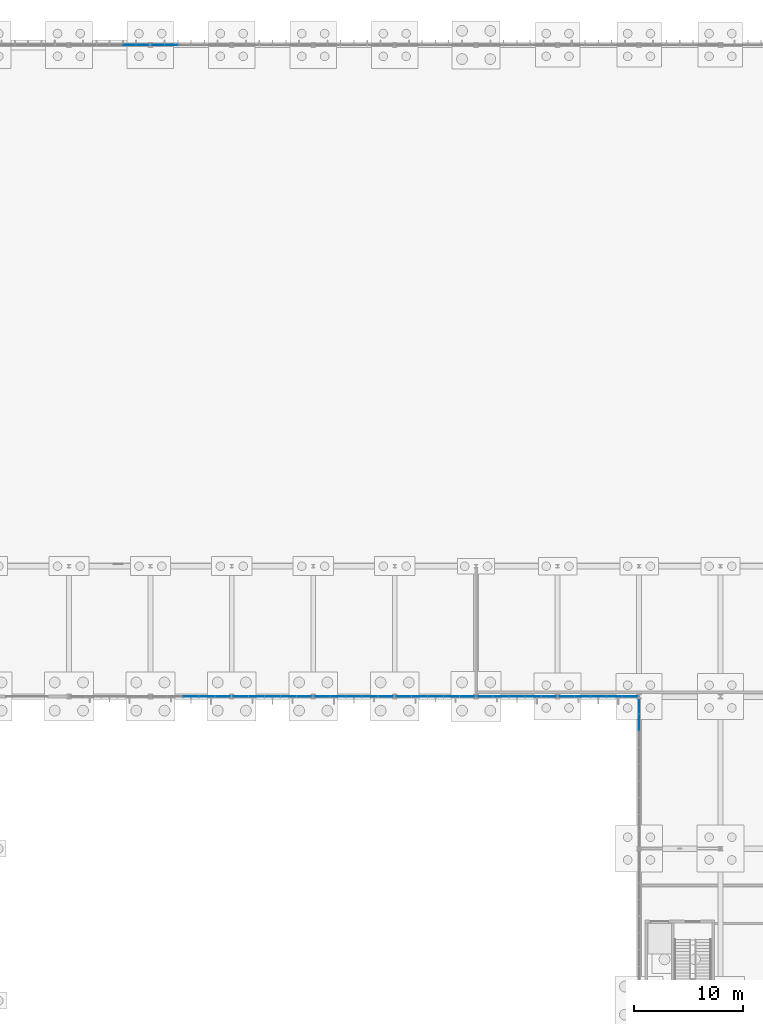
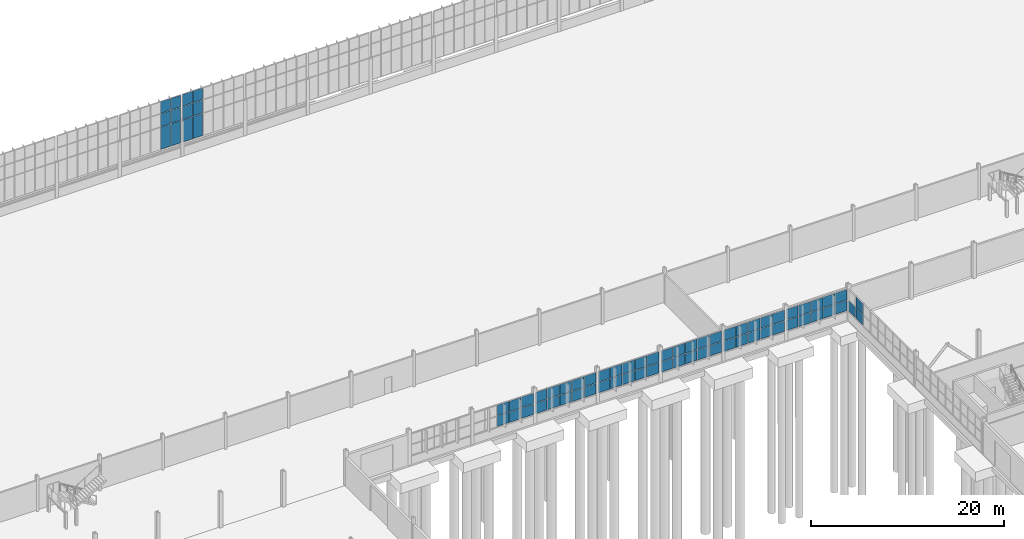
# One storey, part 90 of 136: 71 plates, 9 elements without a shape of their own.
"""IFC4 building model written with IfcOpenShell, lengths in metres."""

from ifc_helpers import new_model, si_unit, direction, frame, origin, origin_2d, place, context, subcontext, project, spatial, rectangle, extrude, material, layer, layer_set, type_object, element, aggregate, save


model = new_model("IFC4")

# Units and contexts
model_context = context("Model", 3, precision=1e-05, world=origin(), true_north=direction((0.0, 1.0)))
body_context = subcontext(model_context, "Body", "Model", "MODEL_VIEW")
ifc_project = project(units=[si_unit("LENGTHUNIT", "METRE"), si_unit("AREAUNIT", "SQUARE_METRE"), si_unit("VOLUMEUNIT", "CUBIC_METRE"), si_unit("PLANEANGLEUNIT", "RADIAN"), si_unit("MASSUNIT", "GRAM", prefix="KILO")], contexts=[model_context])

# Site, building, storey
site_placement = place(None, origin())
site = spatial("IfcSite", under=ifc_project, at=site_placement, CompositionType="ELEMENT")
building_placement = place(site_placement, origin())
building = spatial("IfcBuilding", under=site, at=building_placement, Name="Solvenia Promenade Tram Depot", CompositionType="ELEMENT")
storey_placement = place(building_placement, origin())
storey = spatial("IfcBuildingStorey", under=building, at=storey_placement, Name="L00", CompositionType="ELEMENT", Elevation=0.0)

# Curtain wall, plates
ifc_material_1 = material(Name="Anodized aluminium AW-6063 T6", Category="aluminium")
ifc_layer_1 = layer(ifc_material_1, 0.159912109375, Name="Anodized aluminium AW-6063 T6", Category="aluminium")
ifc_layer_set_1 = layer_set([ifc_layer_1], Name="Anodized aluminium AW-6063 T6")
curtain_wall_type_1 = type_object("IfcCurtainWallType", Name="CW-Channel-1200", PredefinedType="NOTDEFINED", material=ifc_layer_set_1)
curtain_wall_1_placement = place(storey_placement, origin())
curtain_wall_1 = element("IfcCurtainWall", 1, at=curtain_wall_1_placement, inside=storey, type_object=curtain_wall_type_1, Name="North Translucent Channel-Glass Wall 08", PredefinedType="NOTDEFINED")
ifc_material_2 = material(Name="Low-iron translucent U-profile channel glass", Category="glass")
ifc_layer_2 = layer(ifc_material_2, 0.028076171875, Name="Low-iron translucent U-profile channel glass", Category="glass")
ifc_layer_set_2 = layer_set([ifc_layer_2], Name="Low-iron translucent U-profile channel glass")
plate_type_1 = type_object("IfcPlateType", Name="CWP-Panel-1", PredefinedType="CURTAIN_PANEL", material=ifc_layer_set_2)
plate_1_placement = place(storey_placement, frame((58.0849609375, 126.0, 1.659912109375), z_axis=(0.0, 0.0, 1.0), x_axis=(1.0, 0.0, 0.0)))
plate_1 = element("IfcPlate", 2, at=plate_1_placement, type_object=plate_type_1, Name="CW-1 panel 5.1", PredefinedType="CURTAIN_PANEL", context=body_context, shape_type="SweptSolid", body=[
    extrude(rectangle(XDim=1.17138671875, YDim=0.028076171875, at=origin_2d()), origin(), (0.0, 0.0, 1.0), 2.81005859375),
])
plate_2_placement = place(storey_placement, frame((58.0849609375, 126.0, 4.5302734375), z_axis=(0.0, 0.0, 1.0), x_axis=(1.0, 0.0, 0.0)))
plate_2 = element("IfcPlate", 3, at=plate_2_placement, type_object=plate_type_1, Name="CW-1 panel 5.2", PredefinedType="CURTAIN_PANEL", context=body_context, shape_type="SweptSolid", body=[
    extrude(rectangle(XDim=1.17138671875, YDim=0.028076171875, at=origin_2d()), origin(), (0.0, 0.0, 1.0), 1.639892578125),
])
plate_3_placement = place(storey_placement, frame((58.0849609375, 126.0, 6.22998046875), z_axis=(0.0, 0.0, 1.0), x_axis=(1.0, 0.0, 0.0)))
plate_3 = element("IfcPlate", 4, at=plate_3_placement, type_object=plate_type_1, Name="CW-1 panel 5.3", PredefinedType="CURTAIN_PANEL", context=body_context, shape_type="SweptSolid", body=[
    extrude(rectangle(XDim=1.17138671875, YDim=0.028076171875, at=origin_2d()), origin(), (0.0, 0.0, 1.0), 1.4599609375),
])
plate_4_placement = place(storey_placement, frame((59.29541015625, 126.0, 1.659912109375), z_axis=(0.0, 0.0, 1.0), x_axis=(1.0, 0.0, 0.0)))
plate_4 = element("IfcPlate", 5, at=plate_4_placement, type_object=plate_type_1, Name="CW-1 panel 6.1", PredefinedType="CURTAIN_PANEL", context=body_context, shape_type="SweptSolid", body=[
    extrude(rectangle(XDim=1.145263671875, YDim=0.028076171875, at=origin_2d()), origin(), (0.0, 0.0, 1.0), 2.81005859375),
])
plate_5_placement = place(storey_placement, frame((59.29541015625, 126.0, 4.5302734375), z_axis=(0.0, 0.0, 1.0), x_axis=(1.0, 0.0, 0.0)))
plate_5 = element("IfcPlate", 6, at=plate_5_placement, type_object=plate_type_1, Name="CW-1 panel 6.2", PredefinedType="CURTAIN_PANEL", context=body_context, shape_type="SweptSolid", body=[
    extrude(rectangle(XDim=1.145263671875, YDim=0.028076171875, at=origin_2d()), origin(), (0.0, 0.0, 1.0), 1.639892578125),
])
plate_6_placement = place(storey_placement, frame((59.29541015625, 126.0, 6.22998046875), z_axis=(0.0, 0.0, 1.0), x_axis=(1.0, 0.0, 0.0)))
plate_6 = element("IfcPlate", 7, at=plate_6_placement, type_object=plate_type_1, Name="CW-1 panel 6.3", PredefinedType="CURTAIN_PANEL", context=body_context, shape_type="SweptSolid", body=[
    extrude(rectangle(XDim=1.145263671875, YDim=0.028076171875, at=origin_2d()), origin(), (0.0, 0.0, 1.0), 1.4599609375),
])
aggregate(curtain_wall_1, [plate_1, plate_2, plate_3, plate_4, plate_5, plate_6])

curtain_wall_2_placement = place(storey_placement, origin())
curtain_wall_2 = element("IfcCurtainWall", 8, at=curtain_wall_2_placement, inside=storey, type_object=curtain_wall_type_1, Name="North Translucent Channel-Glass Wall 09", PredefinedType="NOTDEFINED")
plate_7_placement = place(storey_placement, frame((60.70458984375, 126.0, 1.659912109375), z_axis=(0.0, 0.0, 1.0), x_axis=(1.0, 0.0, 0.0)))
plate_7 = element("IfcPlate", 9, at=plate_7_placement, type_object=plate_type_1, Name="CW-1 panel 1.1", PredefinedType="CURTAIN_PANEL", context=body_context, shape_type="SweptSolid", body=[
    extrude(rectangle(XDim=1.145263671875, YDim=0.028076171875, at=origin_2d()), origin(), (0.0, 0.0, 1.0), 2.81005859375),
])
plate_8_placement = place(storey_placement, frame((60.70458984375, 126.0, 4.5302734375), z_axis=(0.0, 0.0, 1.0), x_axis=(1.0, 0.0, 0.0)))
plate_8 = element("IfcPlate", 10, at=plate_8_placement, type_object=plate_type_1, Name="CW-1 panel 1.2", PredefinedType="CURTAIN_PANEL", context=body_context, shape_type="SweptSolid", body=[
    extrude(rectangle(XDim=1.145263671875, YDim=0.028076171875, at=origin_2d()), origin(), (0.0, 0.0, 1.0), 1.639892578125),
])
plate_9_placement = place(storey_placement, frame((60.70458984375, 126.0, 6.22998046875), z_axis=(0.0, 0.0, 1.0), x_axis=(1.0, 0.0, 0.0)))
plate_9 = element("IfcPlate", 11, at=plate_9_placement, type_object=plate_type_1, Name="CW-1 panel 1.3", PredefinedType="CURTAIN_PANEL", context=body_context, shape_type="SweptSolid", body=[
    extrude(rectangle(XDim=1.145263671875, YDim=0.028076171875, at=origin_2d()), origin(), (0.0, 0.0, 1.0), 1.4599609375),
])
plate_10_placement = place(storey_placement, frame((61.9150390625, 126.0, 1.659912109375), z_axis=(0.0, 0.0, 1.0), x_axis=(1.0, 0.0, 0.0)))
plate_10 = element("IfcPlate", 12, at=plate_10_placement, type_object=plate_type_1, Name="CW-1 panel 2.1", PredefinedType="CURTAIN_PANEL", context=body_context, shape_type="SweptSolid", body=[
    extrude(rectangle(XDim=1.17138671875, YDim=0.028076171875, at=origin_2d()), origin(), (0.0, 0.0, 1.0), 2.81005859375),
])
plate_11_placement = place(storey_placement, frame((61.9150390625, 126.0, 4.5302734375), z_axis=(0.0, 0.0, 1.0), x_axis=(1.0, 0.0, 0.0)))
plate_11 = element("IfcPlate", 13, at=plate_11_placement, type_object=plate_type_1, Name="CW-1 panel 2.2", PredefinedType="CURTAIN_PANEL", context=body_context, shape_type="SweptSolid", body=[
    extrude(rectangle(XDim=1.17138671875, YDim=0.028076171875, at=origin_2d()), origin(), (0.0, 0.0, 1.0), 1.639892578125),
])
plate_12_placement = place(storey_placement, frame((61.9150390625, 126.0, 6.22998046875), z_axis=(0.0, 0.0, 1.0), x_axis=(1.0, 0.0, 0.0)))
plate_12 = element("IfcPlate", 14, at=plate_12_placement, type_object=plate_type_1, Name="CW-1 panel 2.3", PredefinedType="CURTAIN_PANEL", context=body_context, shape_type="SweptSolid", body=[
    extrude(rectangle(XDim=1.17138671875, YDim=0.028076171875, at=origin_2d()), origin(), (0.0, 0.0, 1.0), 1.4599609375),
])
aggregate(curtain_wall_2, [plate_7, plate_8, plate_9, plate_10, plate_11, plate_12])

ifc_layer_3 = layer(ifc_material_1, 0.14990234375, Name="Anodized aluminium AW-6063 T6", Category="aluminium")
ifc_layer_set_3 = layer_set([ifc_layer_3], Name="Anodized aluminium AW-6063 T6")
curtain_wall_type_2 = type_object("IfcCurtainWallType", Name="CW-Court-1500", PredefinedType="NOTDEFINED", material=ifc_layer_set_3)
curtain_wall_3_placement = place(storey_placement, origin())
curtain_wall_3 = element("IfcCurtainWall", 15, at=curtain_wall_3_placement, inside=storey, type_object=curtain_wall_type_2, Name="Curtain Wall CW-V1S0-03", PredefinedType="NOTDEFINED")
ifc_material_3 = material(Name="Double low-e argon insulated glass", Category="glass")
ifc_layer_4 = layer(ifc_material_3, 0.031982421875, Name="Double low-e argon insulated glass", Category="glass")
ifc_layer_set_4 = layer_set([ifc_layer_4], Name="Double low-e argon insulated glass")
plate_type_2 = type_object("IfcPlateType", Name="CWP-Panel-2", PredefinedType="CURTAIN_PANEL", material=ifc_layer_set_4)
plate_13_placement = place(storey_placement, frame((63.75, 66.0, 1.115234375), z_axis=(0.0, 0.0, 1.0), x_axis=(1.0, 0.0, 0.0)))
plate_13 = element("IfcPlate", 16, at=plate_13_placement, type_object=plate_type_2, Name="CW-5 panel 3.1", PredefinedType="CURTAIN_PANEL", context=body_context, shape_type="SweptSolid", body=[
    extrude(rectangle(XDim=1.41796875, YDim=0.031982421875, at=origin_2d()), origin(), (0.0, 0.0, 1.0), 1.302490234375),
])
plate_14_placement = place(storey_placement, frame((63.75, 66.0, 2.482421875), z_axis=(0.0, 0.0, 1.0), x_axis=(1.0, 0.0, 0.0)))
plate_14 = element("IfcPlate", 17, at=plate_14_placement, type_object=plate_type_2, Name="CW-5 panel 3.2", PredefinedType="CURTAIN_PANEL", context=body_context, shape_type="SweptSolid", body=[
    extrude(rectangle(XDim=1.41796875, YDim=0.031982421875, at=origin_2d()), origin(), (0.0, 0.0, 1.0), 1.302490234375),
])
plate_15_placement = place(storey_placement, frame((65.218017578125, 66.0, 1.115234375), z_axis=(0.0, 0.0, 1.0), x_axis=(1.0, 0.0, 0.0)))
plate_15 = element("IfcPlate", 18, at=plate_15_placement, type_object=plate_type_2, Name="CW-5 panel 4.1", PredefinedType="CURTAIN_PANEL", context=body_context, shape_type="SweptSolid", body=[
    extrude(rectangle(XDim=1.41796875, YDim=0.031982421875, at=origin_2d()), origin(), (0.0, 0.0, 1.0), 1.302490234375),
])
plate_16_placement = place(storey_placement, frame((65.218017578125, 66.0, 2.482421875), z_axis=(0.0, 0.0, 1.0), x_axis=(1.0, 0.0, 0.0)))
plate_16 = element("IfcPlate", 19, at=plate_16_placement, type_object=plate_type_2, Name="CW-5 panel 4.2", PredefinedType="CURTAIN_PANEL", context=body_context, shape_type="SweptSolid", body=[
    extrude(rectangle(XDim=1.41796875, YDim=0.031982421875, at=origin_2d()), origin(), (0.0, 0.0, 1.0), 1.302490234375),
])
plate_17_placement = place(storey_placement, frame((66.673583984375, 66.0, 1.115234375), z_axis=(0.0, 0.0, 1.0), x_axis=(1.0, 0.0, 0.0)))
plate_17 = element("IfcPlate", 20, at=plate_17_placement, type_object=plate_type_2, Name="CW-5 panel 5.1", PredefinedType="CURTAIN_PANEL", context=body_context, shape_type="SweptSolid", body=[
    extrude(rectangle(XDim=1.39306640625, YDim=0.031982421875, at=origin_2d()), origin(), (0.0, 0.0, 1.0), 1.302490234375),
])
plate_18_placement = place(storey_placement, frame((66.673583984375, 66.0, 2.482421875), z_axis=(0.0, 0.0, 1.0), x_axis=(1.0, 0.0, 0.0)))
plate_18 = element("IfcPlate", 21, at=plate_18_placement, type_object=plate_type_2, Name="CW-5 panel 5.2", PredefinedType="CURTAIN_PANEL", context=body_context, shape_type="SweptSolid", body=[
    extrude(rectangle(XDim=1.39306640625, YDim=0.031982421875, at=origin_2d()), origin(), (0.0, 0.0, 1.0), 1.302490234375),
])
aggregate(curtain_wall_3, [plate_13, plate_14, plate_15, plate_16, plate_17, plate_18])

curtain_wall_4_placement = place(storey_placement, origin())
curtain_wall_4 = element("IfcCurtainWall", 22, at=curtain_wall_4_placement, inside=storey, type_object=curtain_wall_type_2, Name="Curtain Wall CW-V1S0-04", PredefinedType="NOTDEFINED")
plate_19_placement = place(storey_placement, frame((68.326416015625, 66.0, 1.115234375), z_axis=(0.0, 0.0, 1.0), x_axis=(1.0, 0.0, 0.0)))
plate_19 = element("IfcPlate", 23, at=plate_19_placement, type_object=plate_type_2, Name="CW-5 panel 1.1", PredefinedType="CURTAIN_PANEL", context=body_context, shape_type="SweptSolid", body=[
    extrude(rectangle(XDim=1.39306640625, YDim=0.031982421875, at=origin_2d()), origin(), (0.0, 0.0, 1.0), 1.302490234375),
])
plate_20_placement = place(storey_placement, frame((68.326416015625, 66.0, 2.482421875), z_axis=(0.0, 0.0, 1.0), x_axis=(1.0, 0.0, 0.0)))
plate_20 = element("IfcPlate", 24, at=plate_20_placement, type_object=plate_type_2, Name="CW-5 panel 1.2", PredefinedType="CURTAIN_PANEL", context=body_context, shape_type="SweptSolid", body=[
    extrude(rectangle(XDim=1.39306640625, YDim=0.031982421875, at=origin_2d()), origin(), (0.0, 0.0, 1.0), 1.302490234375),
])
plate_21_placement = place(storey_placement, frame((69.781982421875, 66.0, 1.115234375), z_axis=(0.0, 0.0, 1.0), x_axis=(1.0, 0.0, 0.0)))
plate_21 = element("IfcPlate", 25, at=plate_21_placement, type_object=plate_type_2, Name="CW-5 panel 2.1", PredefinedType="CURTAIN_PANEL", context=body_context, shape_type="SweptSolid", body=[
    extrude(rectangle(XDim=1.41796875, YDim=0.031982421875, at=origin_2d()), origin(), (0.0, 0.0, 1.0), 1.302490234375),
])
plate_22_placement = place(storey_placement, frame((69.781982421875, 66.0, 2.482421875), z_axis=(0.0, 0.0, 1.0), x_axis=(1.0, 0.0, 0.0)))
plate_22 = element("IfcPlate", 26, at=plate_22_placement, type_object=plate_type_2, Name="CW-5 panel 2.2", PredefinedType="CURTAIN_PANEL", context=body_context, shape_type="SweptSolid", body=[
    extrude(rectangle(XDim=1.41796875, YDim=0.031982421875, at=origin_2d()), origin(), (0.0, 0.0, 1.0), 1.302490234375),
])
plate_23_placement = place(storey_placement, frame((71.25, 66.0, 1.115234375), z_axis=(0.0, 0.0, 1.0), x_axis=(1.0, 0.0, 0.0)))
plate_23 = element("IfcPlate", 27, at=plate_23_placement, type_object=plate_type_2, Name="CW-5 panel 3.1", PredefinedType="CURTAIN_PANEL", context=body_context, shape_type="SweptSolid", body=[
    extrude(rectangle(XDim=1.41796875, YDim=0.031982421875, at=origin_2d()), origin(), (0.0, 0.0, 1.0), 1.302490234375),
])
plate_24_placement = place(storey_placement, frame((71.25, 66.0, 2.482421875), z_axis=(0.0, 0.0, 1.0), x_axis=(1.0, 0.0, 0.0)))
plate_24 = element("IfcPlate", 28, at=plate_24_placement, type_object=plate_type_2, Name="CW-5 panel 3.2", PredefinedType="CURTAIN_PANEL", context=body_context, shape_type="SweptSolid", body=[
    extrude(rectangle(XDim=1.41796875, YDim=0.031982421875, at=origin_2d()), origin(), (0.0, 0.0, 1.0), 1.302490234375),
])
plate_25_placement = place(storey_placement, frame((72.718017578125, 66.0, 1.115234375), z_axis=(0.0, 0.0, 1.0), x_axis=(1.0, 0.0, 0.0)))
plate_25 = element("IfcPlate", 29, at=plate_25_placement, type_object=plate_type_2, Name="CW-5 panel 4.1", PredefinedType="CURTAIN_PANEL", context=body_context, shape_type="SweptSolid", body=[
    extrude(rectangle(XDim=1.41796875, YDim=0.031982421875, at=origin_2d()), origin(), (0.0, 0.0, 1.0), 1.302490234375),
])
plate_26_placement = place(storey_placement, frame((72.718017578125, 66.0, 2.482421875), z_axis=(0.0, 0.0, 1.0), x_axis=(1.0, 0.0, 0.0)))
plate_26 = element("IfcPlate", 30, at=plate_26_placement, type_object=plate_type_2, Name="CW-5 panel 4.2", PredefinedType="CURTAIN_PANEL", context=body_context, shape_type="SweptSolid", body=[
    extrude(rectangle(XDim=1.41796875, YDim=0.031982421875, at=origin_2d()), origin(), (0.0, 0.0, 1.0), 1.302490234375),
])
plate_27_placement = place(storey_placement, frame((74.173583984375, 66.0, 1.115234375), z_axis=(0.0, 0.0, 1.0), x_axis=(1.0, 0.0, 0.0)))
plate_27 = element("IfcPlate", 31, at=plate_27_placement, type_object=plate_type_2, Name="CW-5 panel 5.1", PredefinedType="CURTAIN_PANEL", context=body_context, shape_type="SweptSolid", body=[
    extrude(rectangle(XDim=1.39306640625, YDim=0.031982421875, at=origin_2d()), origin(), (0.0, 0.0, 1.0), 1.302490234375),
])
plate_28_placement = place(storey_placement, frame((74.173583984375, 66.0, 2.482421875), z_axis=(0.0, 0.0, 1.0), x_axis=(1.0, 0.0, 0.0)))
plate_28 = element("IfcPlate", 32, at=plate_28_placement, type_object=plate_type_2, Name="CW-5 panel 5.2", PredefinedType="CURTAIN_PANEL", context=body_context, shape_type="SweptSolid", body=[
    extrude(rectangle(XDim=1.39306640625, YDim=0.031982421875, at=origin_2d()), origin(), (0.0, 0.0, 1.0), 1.302490234375),
])
aggregate(curtain_wall_4, [plate_19, plate_20, plate_21, plate_22, plate_23, plate_24, plate_25, plate_26, plate_27, plate_28])

curtain_wall_5_placement = place(storey_placement, origin())
curtain_wall_5 = element("IfcCurtainWall", 33, at=curtain_wall_5_placement, inside=storey, type_object=curtain_wall_type_2, Name="Curtain Wall CW-V1S0-05", PredefinedType="NOTDEFINED")
plate_29_placement = place(storey_placement, frame((75.826416015625, 66.0, 1.115234375), z_axis=(0.0, 0.0, 1.0), x_axis=(1.0, 0.0, 0.0)))
plate_29 = element("IfcPlate", 34, at=plate_29_placement, type_object=plate_type_2, Name="CW-5 panel 1.1", PredefinedType="CURTAIN_PANEL", context=body_context, shape_type="SweptSolid", body=[
    extrude(rectangle(XDim=1.39306640625, YDim=0.031982421875, at=origin_2d()), origin(), (0.0, 0.0, 1.0), 1.302490234375),
])
plate_30_placement = place(storey_placement, frame((75.826416015625, 66.0, 2.482421875), z_axis=(0.0, 0.0, 1.0), x_axis=(1.0, 0.0, 0.0)))
plate_30 = element("IfcPlate", 35, at=plate_30_placement, type_object=plate_type_2, Name="CW-5 panel 1.2", PredefinedType="CURTAIN_PANEL", context=body_context, shape_type="SweptSolid", body=[
    extrude(rectangle(XDim=1.39306640625, YDim=0.031982421875, at=origin_2d()), origin(), (0.0, 0.0, 1.0), 1.302490234375),
])
plate_31_placement = place(storey_placement, frame((77.281982421875, 66.0, 1.115234375), z_axis=(0.0, 0.0, 1.0), x_axis=(1.0, 0.0, 0.0)))
plate_31 = element("IfcPlate", 36, at=plate_31_placement, type_object=plate_type_2, Name="CW-5 panel 2.1", PredefinedType="CURTAIN_PANEL", context=body_context, shape_type="SweptSolid", body=[
    extrude(rectangle(XDim=1.41796875, YDim=0.031982421875, at=origin_2d()), origin(), (0.0, 0.0, 1.0), 1.302490234375),
])
plate_32_placement = place(storey_placement, frame((77.281982421875, 66.0, 2.482421875), z_axis=(0.0, 0.0, 1.0), x_axis=(1.0, 0.0, 0.0)))
plate_32 = element("IfcPlate", 37, at=plate_32_placement, type_object=plate_type_2, Name="CW-5 panel 2.2", PredefinedType="CURTAIN_PANEL", context=body_context, shape_type="SweptSolid", body=[
    extrude(rectangle(XDim=1.41796875, YDim=0.031982421875, at=origin_2d()), origin(), (0.0, 0.0, 1.0), 1.302490234375),
])
plate_33_placement = place(storey_placement, frame((78.75, 66.0, 1.115234375), z_axis=(0.0, 0.0, 1.0), x_axis=(1.0, 0.0, 0.0)))
plate_33 = element("IfcPlate", 38, at=plate_33_placement, type_object=plate_type_2, Name="CW-5 panel 3.1", PredefinedType="CURTAIN_PANEL", context=body_context, shape_type="SweptSolid", body=[
    extrude(rectangle(XDim=1.41796875, YDim=0.031982421875, at=origin_2d()), origin(), (0.0, 0.0, 1.0), 1.302490234375),
])
plate_34_placement = place(storey_placement, frame((78.75, 66.0, 2.482421875), z_axis=(0.0, 0.0, 1.0), x_axis=(1.0, 0.0, 0.0)))
plate_34 = element("IfcPlate", 39, at=plate_34_placement, type_object=plate_type_2, Name="CW-5 panel 3.2", PredefinedType="CURTAIN_PANEL", context=body_context, shape_type="SweptSolid", body=[
    extrude(rectangle(XDim=1.41796875, YDim=0.031982421875, at=origin_2d()), origin(), (0.0, 0.0, 1.0), 1.302490234375),
])
plate_35_placement = place(storey_placement, frame((80.218017578125, 66.0, 1.115234375), z_axis=(0.0, 0.0, 1.0), x_axis=(1.0, 0.0, 0.0)))
plate_35 = element("IfcPlate", 40, at=plate_35_placement, type_object=plate_type_2, Name="CW-5 panel 4.1", PredefinedType="CURTAIN_PANEL", context=body_context, shape_type="SweptSolid", body=[
    extrude(rectangle(XDim=1.41796875, YDim=0.031982421875, at=origin_2d()), origin(), (0.0, 0.0, 1.0), 1.302490234375),
])
plate_36_placement = place(storey_placement, frame((80.218017578125, 66.0, 2.482421875), z_axis=(0.0, 0.0, 1.0), x_axis=(1.0, 0.0, 0.0)))
plate_36 = element("IfcPlate", 41, at=plate_36_placement, type_object=plate_type_2, Name="CW-5 panel 4.2", PredefinedType="CURTAIN_PANEL", context=body_context, shape_type="SweptSolid", body=[
    extrude(rectangle(XDim=1.41796875, YDim=0.031982421875, at=origin_2d()), origin(), (0.0, 0.0, 1.0), 1.302490234375),
])
plate_37_placement = place(storey_placement, frame((81.673583984375, 66.0, 1.115234375), z_axis=(0.0, 0.0, 1.0), x_axis=(1.0, 0.0, 0.0)))
plate_37 = element("IfcPlate", 42, at=plate_37_placement, type_object=plate_type_2, Name="CW-5 panel 5.1", PredefinedType="CURTAIN_PANEL", context=body_context, shape_type="SweptSolid", body=[
    extrude(rectangle(XDim=1.39306640625, YDim=0.031982421875, at=origin_2d()), origin(), (0.0, 0.0, 1.0), 1.302490234375),
])
plate_38_placement = place(storey_placement, frame((81.673583984375, 66.0, 2.482421875), z_axis=(0.0, 0.0, 1.0), x_axis=(1.0, 0.0, 0.0)))
plate_38 = element("IfcPlate", 43, at=plate_38_placement, type_object=plate_type_2, Name="CW-5 panel 5.2", PredefinedType="CURTAIN_PANEL", context=body_context, shape_type="SweptSolid", body=[
    extrude(rectangle(XDim=1.39306640625, YDim=0.031982421875, at=origin_2d()), origin(), (0.0, 0.0, 1.0), 1.302490234375),
])
aggregate(curtain_wall_5, [plate_29, plate_30, plate_31, plate_32, plate_33, plate_34, plate_35, plate_36, plate_37, plate_38])

curtain_wall_6_placement = place(storey_placement, origin())
curtain_wall_6 = element("IfcCurtainWall", 44, at=curtain_wall_6_placement, inside=storey, type_object=curtain_wall_type_2, Name="Curtain Wall CW-V1S0-06", PredefinedType="NOTDEFINED")
plate_39_placement = place(storey_placement, frame((83.326416015625, 66.0, 1.115234375), z_axis=(0.0, 0.0, 1.0), x_axis=(1.0, 0.0, 0.0)))
plate_39 = element("IfcPlate", 45, at=plate_39_placement, type_object=plate_type_2, Name="CW-5 panel 1.1", PredefinedType="CURTAIN_PANEL", context=body_context, shape_type="SweptSolid", body=[
    extrude(rectangle(XDim=1.39306640625, YDim=0.031982421875, at=origin_2d()), origin(), (0.0, 0.0, 1.0), 1.302490234375),
])
plate_40_placement = place(storey_placement, frame((83.326416015625, 66.0, 2.482421875), z_axis=(0.0, 0.0, 1.0), x_axis=(1.0, 0.0, 0.0)))
plate_40 = element("IfcPlate", 46, at=plate_40_placement, type_object=plate_type_2, Name="CW-5 panel 1.2", PredefinedType="CURTAIN_PANEL", context=body_context, shape_type="SweptSolid", body=[
    extrude(rectangle(XDim=1.39306640625, YDim=0.031982421875, at=origin_2d()), origin(), (0.0, 0.0, 1.0), 1.302490234375),
])
plate_41_placement = place(storey_placement, frame((84.781982421875, 66.0, 1.115234375), z_axis=(0.0, 0.0, 1.0), x_axis=(1.0, 0.0, 0.0)))
plate_41 = element("IfcPlate", 47, at=plate_41_placement, type_object=plate_type_2, Name="CW-5 panel 2.1", PredefinedType="CURTAIN_PANEL", context=body_context, shape_type="SweptSolid", body=[
    extrude(rectangle(XDim=1.41796875, YDim=0.031982421875, at=origin_2d()), origin(), (0.0, 0.0, 1.0), 1.302490234375),
])
plate_42_placement = place(storey_placement, frame((84.781982421875, 66.0, 2.482421875), z_axis=(0.0, 0.0, 1.0), x_axis=(1.0, 0.0, 0.0)))
plate_42 = element("IfcPlate", 48, at=plate_42_placement, type_object=plate_type_2, Name="CW-5 panel 2.2", PredefinedType="CURTAIN_PANEL", context=body_context, shape_type="SweptSolid", body=[
    extrude(rectangle(XDim=1.41796875, YDim=0.031982421875, at=origin_2d()), origin(), (0.0, 0.0, 1.0), 1.302490234375),
])
plate_43_placement = place(storey_placement, frame((86.25, 66.0, 1.115234375), z_axis=(0.0, 0.0, 1.0), x_axis=(1.0, 0.0, 0.0)))
plate_43 = element("IfcPlate", 49, at=plate_43_placement, type_object=plate_type_2, Name="CW-5 panel 3.1", PredefinedType="CURTAIN_PANEL", context=body_context, shape_type="SweptSolid", body=[
    extrude(rectangle(XDim=1.41796875, YDim=0.031982421875, at=origin_2d()), origin(), (0.0, 0.0, 1.0), 1.302490234375),
])
plate_44_placement = place(storey_placement, frame((86.25, 66.0, 2.482421875), z_axis=(0.0, 0.0, 1.0), x_axis=(1.0, 0.0, 0.0)))
plate_44 = element("IfcPlate", 50, at=plate_44_placement, type_object=plate_type_2, Name="CW-5 panel 3.2", PredefinedType="CURTAIN_PANEL", context=body_context, shape_type="SweptSolid", body=[
    extrude(rectangle(XDim=1.41796875, YDim=0.031982421875, at=origin_2d()), origin(), (0.0, 0.0, 1.0), 1.302490234375),
])
plate_45_placement = place(storey_placement, frame((87.718017578125, 66.0, 1.115234375), z_axis=(0.0, 0.0, 1.0), x_axis=(1.0, 0.0, 0.0)))
plate_45 = element("IfcPlate", 51, at=plate_45_placement, type_object=plate_type_2, Name="CW-5 panel 4.1", PredefinedType="CURTAIN_PANEL", context=body_context, shape_type="SweptSolid", body=[
    extrude(rectangle(XDim=1.41796875, YDim=0.031982421875, at=origin_2d()), origin(), (0.0, 0.0, 1.0), 1.302490234375),
])
plate_46_placement = place(storey_placement, frame((87.718017578125, 66.0, 2.482421875), z_axis=(0.0, 0.0, 1.0), x_axis=(1.0, 0.0, 0.0)))
plate_46 = element("IfcPlate", 52, at=plate_46_placement, type_object=plate_type_2, Name="CW-5 panel 4.2", PredefinedType="CURTAIN_PANEL", context=body_context, shape_type="SweptSolid", body=[
    extrude(rectangle(XDim=1.41796875, YDim=0.031982421875, at=origin_2d()), origin(), (0.0, 0.0, 1.0), 1.302490234375),
])
plate_47_placement = place(storey_placement, frame((89.173583984375, 66.0, 1.115234375), z_axis=(0.0, 0.0, 1.0), x_axis=(1.0, 0.0, 0.0)))
plate_47 = element("IfcPlate", 53, at=plate_47_placement, type_object=plate_type_2, Name="CW-5 panel 5.1", PredefinedType="CURTAIN_PANEL", context=body_context, shape_type="SweptSolid", body=[
    extrude(rectangle(XDim=1.39306640625, YDim=0.031982421875, at=origin_2d()), origin(), (0.0, 0.0, 1.0), 1.302490234375),
])
plate_48_placement = place(storey_placement, frame((89.173583984375, 66.0, 2.482421875), z_axis=(0.0, 0.0, 1.0), x_axis=(1.0, 0.0, 0.0)))
plate_48 = element("IfcPlate", 54, at=plate_48_placement, type_object=plate_type_2, Name="CW-5 panel 5.2", PredefinedType="CURTAIN_PANEL", context=body_context, shape_type="SweptSolid", body=[
    extrude(rectangle(XDim=1.39306640625, YDim=0.031982421875, at=origin_2d()), origin(), (0.0, 0.0, 1.0), 1.302490234375),
])
aggregate(curtain_wall_6, [plate_39, plate_40, plate_41, plate_42, plate_43, plate_44, plate_45, plate_46, plate_47, plate_48])

curtain_wall_7_placement = place(storey_placement, origin())
curtain_wall_7 = element("IfcCurtainWall", 55, at=curtain_wall_7_placement, inside=storey, type_object=curtain_wall_type_2, Name="Curtain Wall CW-V1S0-07", PredefinedType="NOTDEFINED")
plate_49_placement = place(storey_placement, frame((90.826416015625, 66.0, 1.115234375), z_axis=(0.0, 0.0, 1.0), x_axis=(1.0, 0.0, 0.0)))
plate_49 = element("IfcPlate", 56, at=plate_49_placement, type_object=plate_type_2, Name="CW-5 panel 1.1", PredefinedType="CURTAIN_PANEL", context=body_context, shape_type="SweptSolid", body=[
    extrude(rectangle(XDim=1.39306640625, YDim=0.031982421875, at=origin_2d()), origin(), (0.0, 0.0, 1.0), 1.302490234375),
])
plate_50_placement = place(storey_placement, frame((90.826416015625, 66.0, 2.482421875), z_axis=(0.0, 0.0, 1.0), x_axis=(1.0, 0.0, 0.0)))
plate_50 = element("IfcPlate", 57, at=plate_50_placement, type_object=plate_type_2, Name="CW-5 panel 1.2", PredefinedType="CURTAIN_PANEL", context=body_context, shape_type="SweptSolid", body=[
    extrude(rectangle(XDim=1.39306640625, YDim=0.031982421875, at=origin_2d()), origin(), (0.0, 0.0, 1.0), 1.302490234375),
])
plate_51_placement = place(storey_placement, frame((92.281982421875, 66.0, 1.115234375), z_axis=(0.0, 0.0, 1.0), x_axis=(1.0, 0.0, 0.0)))
plate_51 = element("IfcPlate", 58, at=plate_51_placement, type_object=plate_type_2, Name="CW-5 panel 2.1", PredefinedType="CURTAIN_PANEL", context=body_context, shape_type="SweptSolid", body=[
    extrude(rectangle(XDim=1.41796875, YDim=0.031982421875, at=origin_2d()), origin(), (0.0, 0.0, 1.0), 1.302490234375),
])
plate_52_placement = place(storey_placement, frame((92.281982421875, 66.0, 2.482421875), z_axis=(0.0, 0.0, 1.0), x_axis=(1.0, 0.0, 0.0)))
plate_52 = element("IfcPlate", 59, at=plate_52_placement, type_object=plate_type_2, Name="CW-5 panel 2.2", PredefinedType="CURTAIN_PANEL", context=body_context, shape_type="SweptSolid", body=[
    extrude(rectangle(XDim=1.41796875, YDim=0.031982421875, at=origin_2d()), origin(), (0.0, 0.0, 1.0), 1.302490234375),
])
plate_53_placement = place(storey_placement, frame((93.75, 66.0, 1.115234375), z_axis=(0.0, 0.0, 1.0), x_axis=(1.0, 0.0, 0.0)))
plate_53 = element("IfcPlate", 60, at=plate_53_placement, type_object=plate_type_2, Name="CW-5 panel 3.1", PredefinedType="CURTAIN_PANEL", context=body_context, shape_type="SweptSolid", body=[
    extrude(rectangle(XDim=1.41796875, YDim=0.031982421875, at=origin_2d()), origin(), (0.0, 0.0, 1.0), 1.302490234375),
])
plate_54_placement = place(storey_placement, frame((93.75, 66.0, 2.482421875), z_axis=(0.0, 0.0, 1.0), x_axis=(1.0, 0.0, 0.0)))
plate_54 = element("IfcPlate", 61, at=plate_54_placement, type_object=plate_type_2, Name="CW-5 panel 3.2", PredefinedType="CURTAIN_PANEL", context=body_context, shape_type="SweptSolid", body=[
    extrude(rectangle(XDim=1.41796875, YDim=0.031982421875, at=origin_2d()), origin(), (0.0, 0.0, 1.0), 1.302490234375),
])
plate_55_placement = place(storey_placement, frame((95.218017578125, 66.0, 1.115234375), z_axis=(0.0, 0.0, 1.0), x_axis=(1.0, 0.0, 0.0)))
plate_55 = element("IfcPlate", 62, at=plate_55_placement, type_object=plate_type_2, Name="CW-5 panel 4.1", PredefinedType="CURTAIN_PANEL", context=body_context, shape_type="SweptSolid", body=[
    extrude(rectangle(XDim=1.41796875, YDim=0.031982421875, at=origin_2d()), origin(), (0.0, 0.0, 1.0), 1.302490234375),
])
plate_56_placement = place(storey_placement, frame((95.218017578125, 66.0, 2.482421875), z_axis=(0.0, 0.0, 1.0), x_axis=(1.0, 0.0, 0.0)))
plate_56 = element("IfcPlate", 63, at=plate_56_placement, type_object=plate_type_2, Name="CW-5 panel 4.2", PredefinedType="CURTAIN_PANEL", context=body_context, shape_type="SweptSolid", body=[
    extrude(rectangle(XDim=1.41796875, YDim=0.031982421875, at=origin_2d()), origin(), (0.0, 0.0, 1.0), 1.302490234375),
])
plate_57_placement = place(storey_placement, frame((96.673583984375, 66.0, 1.115234375), z_axis=(0.0, 0.0, 1.0), x_axis=(1.0, 0.0, 0.0)))
plate_57 = element("IfcPlate", 64, at=plate_57_placement, type_object=plate_type_2, Name="CW-5 panel 5.1", PredefinedType="CURTAIN_PANEL", context=body_context, shape_type="SweptSolid", body=[
    extrude(rectangle(XDim=1.39306640625, YDim=0.031982421875, at=origin_2d()), origin(), (0.0, 0.0, 1.0), 1.302490234375),
])
plate_58_placement = place(storey_placement, frame((96.673583984375, 66.0, 2.482421875), z_axis=(0.0, 0.0, 1.0), x_axis=(1.0, 0.0, 0.0)))
plate_58 = element("IfcPlate", 65, at=plate_58_placement, type_object=plate_type_2, Name="CW-5 panel 5.2", PredefinedType="CURTAIN_PANEL", context=body_context, shape_type="SweptSolid", body=[
    extrude(rectangle(XDim=1.39306640625, YDim=0.031982421875, at=origin_2d()), origin(), (0.0, 0.0, 1.0), 1.302490234375),
])
aggregate(curtain_wall_7, [plate_49, plate_50, plate_51, plate_52, plate_53, plate_54, plate_55, plate_56, plate_57, plate_58])

curtain_wall_8_placement = place(storey_placement, origin())
curtain_wall_8 = element("IfcCurtainWall", 66, at=curtain_wall_8_placement, inside=storey, type_object=curtain_wall_type_2, Name="Curtain Wall CW-V1S0-08", PredefinedType="NOTDEFINED")
plate_59_placement = place(storey_placement, frame((98.326416015625, 66.0, 1.115234375), z_axis=(0.0, 0.0, 1.0), x_axis=(1.0, 0.0, 0.0)))
plate_59 = element("IfcPlate", 67, at=plate_59_placement, type_object=plate_type_2, Name="CW-5 panel 1.1", PredefinedType="CURTAIN_PANEL", context=body_context, shape_type="SweptSolid", body=[
    extrude(rectangle(XDim=1.39306640625, YDim=0.031982421875, at=origin_2d()), origin(), (0.0, 0.0, 1.0), 1.302490234375),
])
plate_60_placement = place(storey_placement, frame((98.326416015625, 66.0, 2.482421875), z_axis=(0.0, 0.0, 1.0), x_axis=(1.0, 0.0, 0.0)))
plate_60 = element("IfcPlate", 68, at=plate_60_placement, type_object=plate_type_2, Name="CW-5 panel 1.2", PredefinedType="CURTAIN_PANEL", context=body_context, shape_type="SweptSolid", body=[
    extrude(rectangle(XDim=1.39306640625, YDim=0.031982421875, at=origin_2d()), origin(), (0.0, 0.0, 1.0), 1.302490234375),
])
plate_61_placement = place(storey_placement, frame((99.781982421875, 66.0, 1.115234375), z_axis=(0.0, 0.0, 1.0), x_axis=(1.0, 0.0, 0.0)))
plate_61 = element("IfcPlate", 69, at=plate_61_placement, type_object=plate_type_2, Name="CW-5 panel 2.1", PredefinedType="CURTAIN_PANEL", context=body_context, shape_type="SweptSolid", body=[
    extrude(rectangle(XDim=1.41796875, YDim=0.031982421875, at=origin_2d()), origin(), (0.0, 0.0, 1.0), 1.302490234375),
])
plate_62_placement = place(storey_placement, frame((99.781982421875, 66.0, 2.482421875), z_axis=(0.0, 0.0, 1.0), x_axis=(1.0, 0.0, 0.0)))
plate_62 = element("IfcPlate", 70, at=plate_62_placement, type_object=plate_type_2, Name="CW-5 panel 2.2", PredefinedType="CURTAIN_PANEL", context=body_context, shape_type="SweptSolid", body=[
    extrude(rectangle(XDim=1.41796875, YDim=0.031982421875, at=origin_2d()), origin(), (0.0, 0.0, 1.0), 1.302490234375),
])
plate_63_placement = place(storey_placement, frame((101.25, 66.0, 1.115234375), z_axis=(0.0, 0.0, 1.0), x_axis=(1.0, 0.0, 0.0)))
plate_63 = element("IfcPlate", 71, at=plate_63_placement, type_object=plate_type_2, Name="CW-5 panel 3.1", PredefinedType="CURTAIN_PANEL", context=body_context, shape_type="SweptSolid", body=[
    extrude(rectangle(XDim=1.41796875, YDim=0.031982421875, at=origin_2d()), origin(), (0.0, 0.0, 1.0), 1.302490234375),
])
plate_64_placement = place(storey_placement, frame((101.25, 66.0, 2.482421875), z_axis=(0.0, 0.0, 1.0), x_axis=(1.0, 0.0, 0.0)))
plate_64 = element("IfcPlate", 72, at=plate_64_placement, type_object=plate_type_2, Name="CW-5 panel 3.2", PredefinedType="CURTAIN_PANEL", context=body_context, shape_type="SweptSolid", body=[
    extrude(rectangle(XDim=1.41796875, YDim=0.031982421875, at=origin_2d()), origin(), (0.0, 0.0, 1.0), 1.302490234375),
])
plate_65_placement = place(storey_placement, frame((102.718017578125, 66.0, 1.115234375), z_axis=(0.0, 0.0, 1.0), x_axis=(1.0, 0.0, 0.0)))
plate_65 = element("IfcPlate", 73, at=plate_65_placement, type_object=plate_type_2, Name="CW-5 panel 4.1", PredefinedType="CURTAIN_PANEL", context=body_context, shape_type="SweptSolid", body=[
    extrude(rectangle(XDim=1.41796875, YDim=0.031982421875, at=origin_2d()), origin(), (0.0, 0.0, 1.0), 1.302490234375),
])
plate_66_placement = place(storey_placement, frame((102.718017578125, 66.0, 2.482421875), z_axis=(0.0, 0.0, 1.0), x_axis=(1.0, 0.0, 0.0)))
plate_66 = element("IfcPlate", 74, at=plate_66_placement, type_object=plate_type_2, Name="CW-5 panel 4.2", PredefinedType="CURTAIN_PANEL", context=body_context, shape_type="SweptSolid", body=[
    extrude(rectangle(XDim=1.41796875, YDim=0.031982421875, at=origin_2d()), origin(), (0.0, 0.0, 1.0), 1.302490234375),
])
plate_67_placement = place(storey_placement, frame((104.173583984375, 66.0, 1.115234375), z_axis=(0.0, 0.0, 1.0), x_axis=(1.0, 0.0, 0.0)))
plate_67 = element("IfcPlate", 75, at=plate_67_placement, type_object=plate_type_2, Name="CW-5 panel 5.1", PredefinedType="CURTAIN_PANEL", context=body_context, shape_type="SweptSolid", body=[
    extrude(rectangle(XDim=1.39306640625, YDim=0.031982421875, at=origin_2d()), origin(), (0.0, 0.0, 1.0), 1.302490234375),
])
plate_68_placement = place(storey_placement, frame((104.173583984375, 66.0, 2.482421875), z_axis=(0.0, 0.0, 1.0), x_axis=(1.0, 0.0, 0.0)))
plate_68 = element("IfcPlate", 76, at=plate_68_placement, type_object=plate_type_2, Name="CW-5 panel 5.2", PredefinedType="CURTAIN_PANEL", context=body_context, shape_type="SweptSolid", body=[
    extrude(rectangle(XDim=1.39306640625, YDim=0.031982421875, at=origin_2d()), origin(), (0.0, 0.0, 1.0), 1.302490234375),
])
aggregate(curtain_wall_8, [plate_59, plate_60, plate_61, plate_62, plate_63, plate_64, plate_65, plate_66, plate_67, plate_68])

curtain_wall_9_placement = place(storey_placement, origin())
curtain_wall_9 = element("IfcCurtainWall", 77, at=curtain_wall_9_placement, inside=storey, type_object=curtain_wall_type_2, Name="Curtain Wall CW-V2W-L0-2", PredefinedType="NOTDEFINED")
plate_69_placement = place(storey_placement, frame((105.0, 63.61328125, 1.115234375), z_axis=(0.0, 0.0, 1.0), x_axis=(0.0, 1.0, 0.0)))
plate_69 = element("IfcPlate", 78, at=plate_69_placement, type_object=plate_type_2, Name="CW-5 panel 8.1", PredefinedType="CURTAIN_PANEL", context=body_context, shape_type="SweptSolid", body=[
    extrude(rectangle(XDim=1.48779296875, YDim=0.031982421875, at=origin_2d()), origin(), (0.0, 0.0, 1.0), 1.302490234375),
])
plate_70_placement = place(storey_placement, frame((105.0, 63.61328125, 2.482421875), z_axis=(0.0, 0.0, 1.0), x_axis=(0.0, 1.0, 0.0)))
plate_70 = element("IfcPlate", 79, at=plate_70_placement, type_object=plate_type_2, Name="CW-5 panel 8.2", PredefinedType="CURTAIN_PANEL", context=body_context, shape_type="SweptSolid", body=[
    extrude(rectangle(XDim=1.48779296875, YDim=0.031982421875, at=origin_2d()), origin(), (0.0, 0.0, 1.0), 1.3525390625),
])
plate_71_placement = place(storey_placement, frame((105.0, 65.138671875, 1.115234375), z_axis=(0.0, 0.0, 1.0), x_axis=(0.0, 1.0, 0.0)))
plate_71 = element("IfcPlate", 80, at=plate_71_placement, type_object=plate_type_2, Name="CW-5 panel 9.1", PredefinedType="CURTAIN_PANEL", context=body_context, shape_type="SweptSolid", body=[
    extrude(rectangle(XDim=1.462890625, YDim=0.031982421875, at=origin_2d()), origin(), (0.0, 0.0, 1.0), 1.302490234375),
])
aggregate(curtain_wall_9, [plate_69, plate_70, plate_71])

save(model, "model.ifc")
